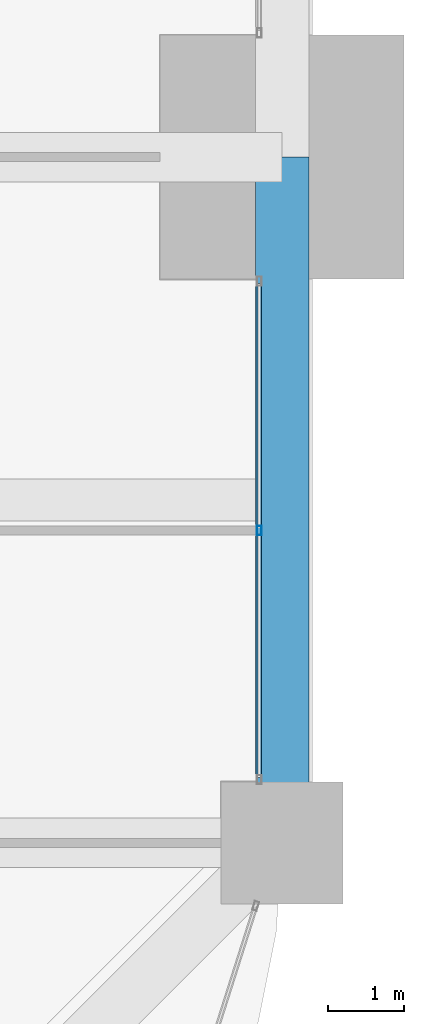
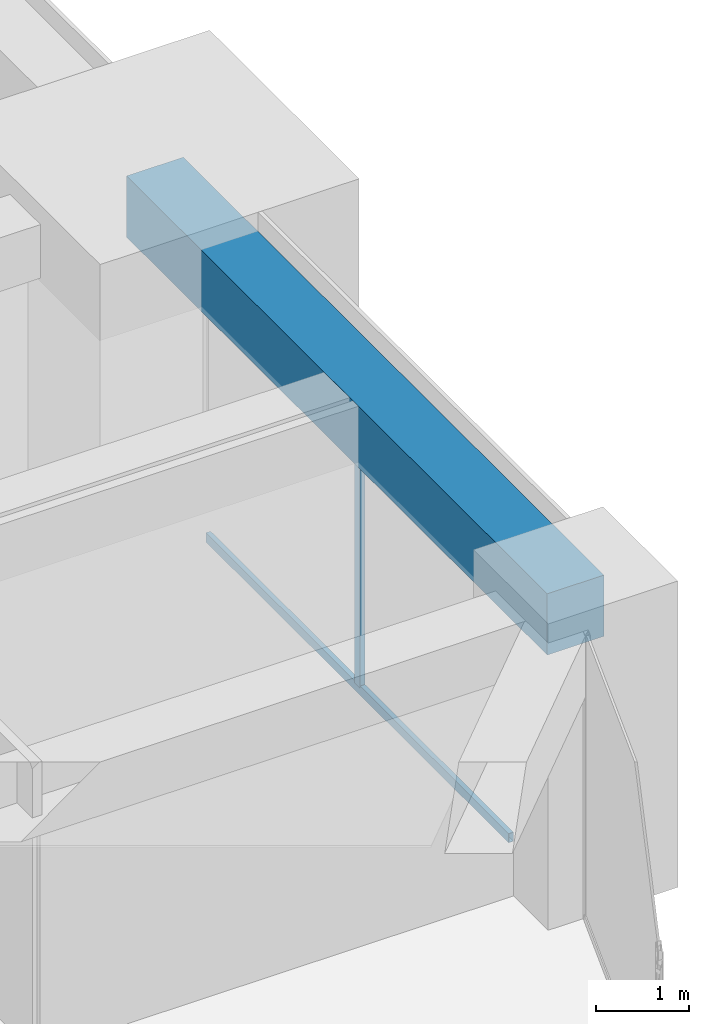
# One storey, part 19 of 40: 2 members, 1 beam, 1 element without a shape of its own.
"""IFC4 building model written with IfcOpenShell, lengths in metres."""

import ifcopenshell
import ifcopenshell.guid

model = None  # the IFC model being written
_history = None  # IfcOwnerHistory: only IFC2X3 demands one
_inside = {}  # id of a spatial element -> (the spatial element, [elements in it])
_under = {}  # id of a project, library or spatial element -> (it, [spatial elements below it])
_declared = {}  # id of a project -> (the project, [libraries it declares])
_typed = {}  # id of a type object -> (the type object, [elements of that type])
_made_of = {}  # id of a material, layer set ... -> (it, [elements and type objects made of it])


def new_model(schema):
    """Start an empty IFC model of exactly this schema.

    Asked for "IFC4X3", IfcOpenShell would pick the latest addendum, in which some entities
    have other attributes; the version numbers below select the first issue.
    IFC2X3 requires an IfcOwnerHistory on every rooted entity: one is made here for all.
    """
    global model, _history
    if schema == "IFC4X3":
        model = ifcopenshell.file(schema_version=(4, 3, 0, 0))
    else:
        model = ifcopenshell.file(schema=schema)
    _inside.clear()
    _under.clear()
    _declared.clear()
    _typed.clear()
    _made_of.clear()
    _history = None
    if model.schema == "IFC2X3":
        org = make("IfcOrganization", Name="unknown")
        user = make(
            "IfcPersonAndOrganization",
            ThePerson=make("IfcPerson", FamilyName="unknown"),
            TheOrganization=org,
        )
        app = make(
            "IfcApplication",
            ApplicationDeveloper=org,
            Version="unknown",
            ApplicationFullName="unknown",
            ApplicationIdentifier="unknown",
        )
        _history = make(
            "IfcOwnerHistory",
            OwningUser=user,
            OwningApplication=app,
            ChangeAction="ADDED",
            CreationDate=0,
        )
    return model


def make(cls, **values):
    """One entity of the class cls with the attributes given. An attribute that is None is left unset."""
    return model.create_entity(
        cls, **{name: value for name, value in values.items() if value is not None}
    )


def rooted(cls, **values):
    """An entity with a GlobalId (a new one), such as an element, a storey or a relation."""
    return make(cls, GlobalId=ifcopenshell.guid.new(), OwnerHistory=_history, **values)


def si_unit(unit_type, name, prefix=None):
    """IfcSIUnit, for example si_unit("LENGTHUNIT", "METRE", prefix="MILLI")."""
    return make("IfcSIUnit", UnitType=unit_type, Prefix=prefix, Name=name)


def assignment(units):
    """IfcUnitAssignment: the units of a project."""
    return None if units is None else make("IfcUnitAssignment", Units=units)


def point(xyz):
    """IfcCartesianPoint."""
    return None if xyz is None else make("IfcCartesianPoint", Coordinates=xyz)


def direction(xyz):
    """IfcDirection."""
    return None if xyz is None else make("IfcDirection", DirectionRatios=xyz)


def frame(location, z_axis=None, x_axis=None):
    """IfcAxis2Placement3D, a coordinate frame: its origin and axes. An axis left out is left unset."""
    return make(
        "IfcAxis2Placement3D",
        Location=point(location),
        Axis=direction(z_axis),
        RefDirection=direction(x_axis),
    )


def frame_2d(location, x_axis=None):
    """IfcAxis2Placement2D, a coordinate frame in the plane: its origin and x axis."""
    return make(
        "IfcAxis2Placement2D", Location=point(location), RefDirection=direction(x_axis)
    )


def origin():
    """The frame at (0, 0, 0) with its axes left unset."""
    return frame((0.0, 0.0, 0.0))


def origin_2d():
    """The frame at (0, 0) in the plane with its x axis left unset."""
    return frame_2d((0.0, 0.0))


def place(relative_to, where):
    """IfcLocalPlacement: puts the frame where relative to a parent placement (None: the world)."""
    return make(
        "IfcLocalPlacement", PlacementRelTo=relative_to, RelativePlacement=where
    )


def context(
    kind, dimensions, precision=None, world=None, true_north=None, identifier=None
):
    """IfcGeometricRepresentationContext, for example the 3D "Model" context."""
    return make(
        "IfcGeometricRepresentationContext",
        ContextIdentifier=identifier,
        ContextType=kind,
        CoordinateSpaceDimension=dimensions,
        Precision=precision,
        WorldCoordinateSystem=world,
        TrueNorth=true_north,
    )


def subcontext(parent, identifier, kind, view, scale=None):
    """IfcGeometricRepresentationSubContext, for example "Body" below "Model"."""
    return make(
        "IfcGeometricRepresentationSubContext",
        ContextIdentifier=identifier,
        ContextType=kind,
        ParentContext=parent,
        TargetScale=scale,
        TargetView=view,
    )


def project(units=None, contexts=None):
    """IfcProject with its units and contexts."""
    return rooted(
        "IfcProject",
        Name="project",
        RepresentationContexts=contexts,
        UnitsInContext=assignment(units),
    )


def spatial(cls, under=None, at=None, **own):
    """A site, building, storey or space (cls), placed at a placement, below another one or the project."""
    s = rooted(cls, ObjectPlacement=at, **own)
    if under is not None:
        _under.setdefault(under.id(), (under, []))[1].append(s)
    return s


def profile(cls, at=None, kind="AREA", **sizes):
    """A parametric profile (cls). Its sizes go by their IFC names, for example OverallWidth=200.0."""
    return make(cls, ProfileType=kind, Position=at, **sizes)


def rectangle(**sizes):
    """IfcRectangleProfileDef."""
    return profile("IfcRectangleProfileDef", **sizes)


def hollow_rectangle(**sizes):
    """IfcRectangleHollowProfileDef."""
    return profile("IfcRectangleHollowProfileDef", **sizes)


def extrude(swept, where, along, depth):
    """IfcExtrudedAreaSolid: the profile swept, set in the frame where, extruded along a direction by depth."""
    return make(
        "IfcExtrudedAreaSolid",
        SweptArea=swept,
        Position=where,
        ExtrudedDirection=direction(along),
        Depth=depth,
    )


def shape(context_of_items, identifier, shape_type, items):
    """IfcShapeRepresentation: the items that make up one representation, for example the "Body"."""
    return make(
        "IfcShapeRepresentation",
        ContextOfItems=context_of_items,
        RepresentationIdentifier=identifier,
        RepresentationType=shape_type,
        Items=items,
    )


def material(Name=None, Category=None):
    """IfcMaterial."""
    return make("IfcMaterial", Name=Name, Category=Category)


def material_profile(
    of_material, cross_section, Name=None, Category=None, Priority=None
):
    """IfcMaterialProfile: a cross section and its material."""
    return make(
        "IfcMaterialProfile",
        Name=Name,
        Material=of_material,
        Profile=cross_section,
        Priority=Priority,
        Category=Category,
    )


def profile_set(profiles, Name=None, composite=None):
    """IfcMaterialProfileSet."""
    return make(
        "IfcMaterialProfileSet",
        Name=Name,
        MaterialProfiles=profiles,
        CompositeProfile=composite,
    )


def made_of(thing, what):
    """Note that an element or type object is made of a material, layer set ...; save() writes the relation."""
    if what is not None:
        _made_of.setdefault(what.id(), (what, []))[1].append(thing)
    return thing


def type_object(cls, material=None, **own):
    """A type object (cls), such as IfcWallType, which elements share."""
    return made_of(rooted(cls, **own), material)


def element(
    cls,
    number,
    at=None,
    inside=None,
    cuts=None,
    type_object=None,
    material=None,
    context=None,
    identifier="Body",
    shape_type=None,
    held_by="IfcProductDefinitionShape",
    body=None,
    shapes=None,
    **own,
):
    """One element of the class cls, such as IfcWall. Its Tag is "e" and its number.

    at: its placement. inside: the storey or other place that contains it. cuts: it is an
    opening in that element (IfcRelVoidsElement). A single representation is given by context,
    identifier, shape_type and body (its items); several are given by shapes. held_by: the class
    of the entity that holds the representations. save() writes the other relations.
    """
    e = rooted(cls, Tag="e%d" % number, ObjectPlacement=at, **own)
    if body is not None:
        shapes = [shape(context, identifier, shape_type, body)]
    if shapes is not None:
        e.Representation = make(held_by, Representations=shapes)
    if inside is not None:
        _inside.setdefault(inside.id(), (inside, []))[1].append(e)
    if cuts is not None:
        rooted(
            "IfcRelVoidsElement", RelatingBuildingElement=cuts, RelatedOpeningElement=e
        )
    if type_object is not None:
        _typed.setdefault(type_object.id(), (type_object, []))[1].append(e)
    return made_of(e, material)


def aggregate(whole, parts):
    """IfcRelAggregates: a whole, such as a stair, and the parts it consists of."""
    return rooted("IfcRelAggregates", RelatingObject=whole, RelatedObjects=parts)


def save(model, path):
    """Write the relations noted so far, then the file.

    IfcRelAggregates (storeys below a building ...), IfcRelContainedInSpatialStructure (elements
    in a storey), IfcRelDefinesByType, IfcRelAssociatesMaterial and IfcRelDeclares: one each for
    every whole, place, type object, material and project.
    """
    for whole, parts in _under.values():
        aggregate(whole, parts)
    for where, things in _inside.values():
        rooted(
            "IfcRelContainedInSpatialStructure",
            RelatedElements=things,
            RelatingStructure=where,
        )
    for kind, things in _typed.values():
        rooted("IfcRelDefinesByType", RelatedObjects=things, RelatingType=kind)
    for what, things in _made_of.values():
        rooted("IfcRelAssociatesMaterial", RelatedObjects=things, RelatingMaterial=what)
    for by, libraries in _declared.values():
        rooted("IfcRelDeclares", RelatingContext=by, RelatedDefinitions=libraries)
    model.write(path)


model = new_model("IFC4")

# Units and contexts
model_context = context("Model", 3, precision=1e-05, world=origin(), true_north=direction((0.0, 1.0)))
body_context = subcontext(model_context, "Body", "Model", "MODEL_VIEW")
ifc_project = project(units=[si_unit("LENGTHUNIT", "METRE"), si_unit("AREAUNIT", "SQUARE_METRE"), si_unit("VOLUMEUNIT", "CUBIC_METRE"), si_unit("PLANEANGLEUNIT", "RADIAN"), si_unit("MASSUNIT", "GRAM", prefix="KILO")], contexts=[model_context])

# Site, building, storey
site_placement = place(None, origin())
site = spatial("IfcSite", under=ifc_project, at=site_placement, CompositionType="ELEMENT")
building_placement = place(site_placement, origin())
building = spatial("IfcBuilding", under=site, at=building_placement, Name="Zorevar Civic Tower", CompositionType="ELEMENT")
storey_placement = place(building_placement, frame((0.0, 0.0, 239.39990234375)))
storey = spatial("IfcBuildingStorey", under=building, at=storey_placement, Name="L58", CompositionType="ELEMENT", Elevation=239.39990234375)

# Curtain wall, members
ifc_material_1 = material(Name="Dark grey solar-control glass in black aluminium frame", Category="aluminium")
curtain_wall_type = type_object("IfcCurtainWallType", Name="Curtain wall CW5 top zone", PredefinedType="NOTDEFINED", material=ifc_material_1)
curtain_wall_placement = place(storey_placement, origin())
curtain_wall = element("IfcCurtainWall", 1, at=curtain_wall_placement, inside=storey, type_object=curtain_wall_type, Name="CW5 L58", PredefinedType="NOTDEFINED")
ifc_material_2 = material(Name="Aluminium, black anodised", Category="aluminium")
ifc_material_profile_1 = material_profile(ifc_material_2, hollow_rectangle(XDim=0.06005859375, YDim=0.1201171875, WallThickness=0.0029296875, at=origin_2d()), Name="AL 120x60x3")
ifc_profile_set_1 = profile_set([ifc_material_profile_1], Name="Aluminium, black anodised")
member_type_1 = type_object("IfcMemberType", Name="CW5 mullion AL 120x60x3", PredefinedType="MULLION", material=ifc_profile_set_1)
member_1_placement = place(storey_placement, frame((53.699951171875, 13.10009765625, 0.06005859375), z_axis=(0.0, 0.0, 1.0), x_axis=(-1.0, 0.0, 0.0)))
member_1 = element("IfcMember", 2, at=member_1_placement, type_object=member_type_1, Name="CW5 mullion 2", PredefinedType="MULLION", context=body_context, shape_type="SweptSolid", body=[
    extrude(hollow_rectangle(XDim=0.06005859375, YDim=0.1201171875, WallThickness=0.0029296875, at=origin_2d()), origin(), (0.0, 0.0, 1.0), 2.89013671875),
])
ifc_material_3 = material(Name="Aluminium, black anodised", Category="aluminium")
ifc_material_profile_2 = material_profile(ifc_material_3, hollow_rectangle(XDim=0.06005859375, YDim=0.1201171875, WallThickness=0.0029296875, at=origin_2d()), Name="AL 120x60x3")
ifc_profile_set_2 = profile_set([ifc_material_profile_2], Name="Aluminium, black anodised")
member_type_2 = type_object("IfcMemberType", Name="CW5 transom AL 120x60x3", PredefinedType="USERDEFINED", material=ifc_profile_set_2)
member_2_placement = place(storey_placement, frame((53.699951171875, 9.860107421875, 0.030029296875), z_axis=(0.0, 1.0, 0.0), x_axis=(-1.0, 0.0, 0.0)))
member_2 = element("IfcMember", 3, at=member_2_placement, type_object=member_type_2, Name="CW5 sill transom", ObjectType="TRANSOM", PredefinedType="USERDEFINED", context=body_context, shape_type="SweptSolid", body=[
    extrude(hollow_rectangle(XDim=0.06005859375, YDim=0.1201171875, WallThickness=0.0029296875, at=origin_2d()), origin(), (0.0, 0.0, 1.0), 6.47998046875),
])
aggregate(curtain_wall, [member_1, member_2])

# Beam
ifc_material_4 = material(Name="Concrete C50/60", Category="concrete")
ifc_material_profile_3 = material_profile(ifc_material_4, rectangle(XDim=0.699951171875, YDim=0.800048828125, at=origin_2d()), Name="RC 700x800")
ifc_profile_set_3 = profile_set([ifc_material_profile_3], Name="Concrete C50/60")
beam_type = type_object("IfcBeamType", Name="Edge beam RC 700x800", PredefinedType="SPANDREL", material=ifc_profile_set_3)
beam_placement = place(storey_placement, frame((54.0, 9.0, 3.35009765625), z_axis=(0.0, 1.0, 0.0), x_axis=(-1.0, 0.0, 0.0)))
element("IfcBeam", 4, at=beam_placement, inside=storey, type_object=beam_type, Name="Edge beam L59", PredefinedType="SPANDREL", context=body_context, shape_type="SweptSolid", body=[
    extrude(rectangle(XDim=0.699951171875, YDim=0.800048828125, at=origin_2d()), origin(), (0.0, 0.0, 1.0), 9.0),
])

save(model, "model.ifc")
